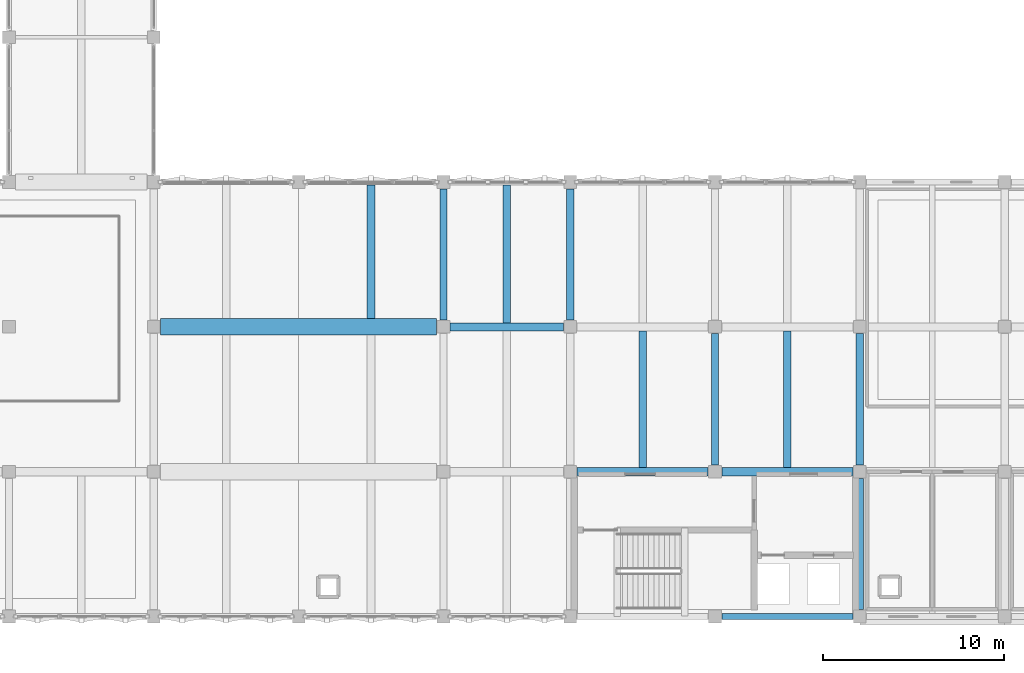
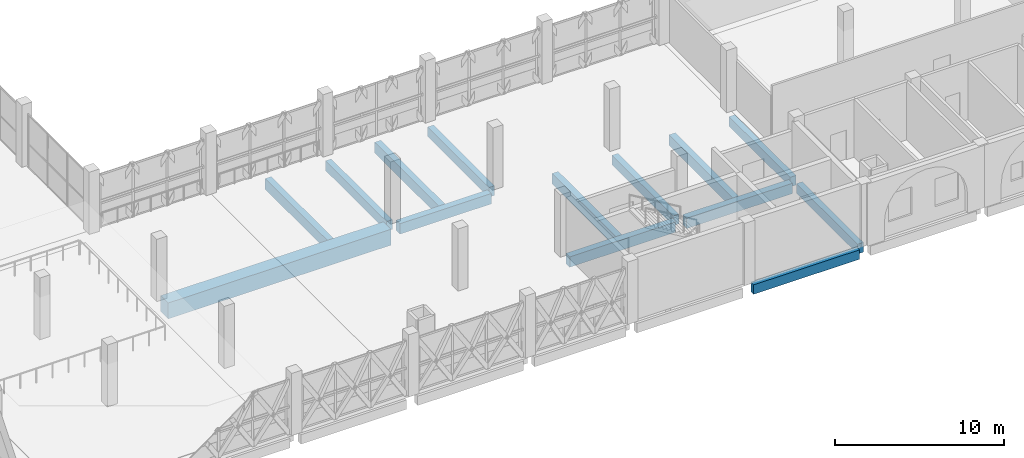
# One storey, part 14 of 45: 14 beams.
"""IFC4 building model written with IfcOpenShell, lengths in metres."""

from ifc_helpers import new_model, si_unit, direction, frame, origin, origin_2d, place, context, subcontext, project, spatial, rectangle, extrude, material, material_profile, profile_set, type_object, element, save


model = new_model("IFC4")

# Units and contexts
model_context = context("Model", 3, precision=1e-05, world=origin(), true_north=direction((0.0, 1.0)))
body_context = subcontext(model_context, "Body", "Model", "MODEL_VIEW")
ifc_project = project(units=[si_unit("LENGTHUNIT", "METRE"), si_unit("AREAUNIT", "SQUARE_METRE"), si_unit("VOLUMEUNIT", "CUBIC_METRE"), si_unit("PLANEANGLEUNIT", "RADIAN"), si_unit("MASSUNIT", "GRAM", prefix="KILO")], contexts=[model_context])

# Site, building, storey
site_placement = place(None, origin())
site = spatial("IfcSite", under=ifc_project, at=site_placement, CompositionType="ELEMENT")
building_placement = place(site_placement, origin())
building = spatial("IfcBuilding", under=site, at=building_placement, Name="Qorikala Patio Media Centre", CompositionType="ELEMENT")
storey_placement = place(building_placement, frame((0.0, 0.0, 9.89990234375)))
storey = spatial("IfcBuildingStorey", under=building, at=storey_placement, Name="L02", CompositionType="ELEMENT", Elevation=9.89990234375)

# Beams
ifc_material = material(Name="Concrete C35/45", Category="concrete")
ifc_material_profile_1 = material_profile(ifc_material, rectangle(XDim=0.39990234375, YDim=0.699951171875, at=origin_2d()), Name="RC 400x700")
ifc_profile_set_1 = profile_set([ifc_material_profile_1], Name="Concrete C35/45")
beam_type_1 = type_object("IfcBeamType", Name="BM-G400X700", PredefinedType="BEAM", material=ifc_profile_set_1)
for number, where, z_axis, x_axis, name in (
    (1, (75.0, 19.375, -0.64990234375), (0.0, 1.0, 0.0), (-1.0, 0.0, 0.0), "L02 Grid X=75 Beam 0973"),
    (2, (82.0, 19.375, -0.64990234375), (0.0, 1.0, 0.0), (-1.0, 0.0, 0.0), "L02 Grid X=82 Beam 0980"),
    (3, (90.0, 11.375, -0.64990234375), (0.0, 1.0, 0.0), (-1.0, 0.0, 0.0), "L02 Grid X=90 Beam 0981"),
    (4, (98.0, 3.375, -0.64990234375), (0.0, 1.0, 0.0), (-1.0, 0.0, 0.0), "L02 Grid X=98 Beam 0983"),
    (5, (98.0, 11.375, -0.64990234375), (0.0, 1.0, 0.0), (-1.0, 0.0, 0.0), "L02 Grid X=98 Beam 0984"),
):
    element("IfcBeam", number, at=place(storey_placement, frame(where, z_axis=z_axis, x_axis=x_axis)), inside=storey, type_object=beam_type_1, Name=name, PredefinedType="BEAM", context=body_context, shape_type="SweptSolid", body=[
        extrude(rectangle(XDim=0.39990234375, YDim=0.699951171875, at=origin_2d()), origin(), (0.0, 0.0, 1.0), 7.25),
    ])
ifc_material_profile_2 = material_profile(ifc_material, rectangle(XDim=0.449951171875, YDim=0.75, at=origin_2d()), Name="RC 450x750")
ifc_profile_set_2 = profile_set([ifc_material_profile_2], Name="Concrete C35/45")
beam_type_2 = type_object("IfcBeamType", Name="BM-G450X750", PredefinedType="BEAM", material=ifc_profile_set_2)
for number, where, z_axis, x_axis, name in (
    (6, (82.375, 11.0, -0.6748046875), (1.0, 0.0, 0.0), (0.0, 1.0, 0.0), "L02 Grid 11 Beam 0785"),
    (7, (90.375, 11.0, -0.6748046875), (1.0, 0.0, 0.0), (0.0, 1.0, 0.0), "L02 Grid 11 Beam 0786"),
):
    element("IfcBeam", number, at=place(storey_placement, frame(where, z_axis=z_axis, x_axis=x_axis)), inside=storey, type_object=beam_type_2, Name=name, PredefinedType="BEAM", context=body_context, shape_type="SweptSolid", body=[
        extrude(rectangle(XDim=0.449951171875, YDim=0.75, at=origin_2d()), origin(), (0.0, 0.0, 1.0), 7.25),
    ])
beam_1_placement = place(storey_placement, frame((75.375, 19.0, -0.6748046875), z_axis=(1.0, 0.0, 0.0), x_axis=(0.0, 1.0, 0.0)))
element("IfcBeam", 8, at=beam_1_placement, inside=storey, type_object=beam_type_2, Name="L02 Grid 19 Beam 0801", PredefinedType="BEAM", context=body_context, shape_type="SweptSolid", body=[
    extrude(rectangle(XDim=0.449951171875, YDim=0.75, at=origin_2d()), origin(), (0.0, 0.0, 1.0), 6.25),
])
ifc_material_profile_3 = material_profile(ifc_material, rectangle(XDim=0.89990234375, YDim=1.14990234375, at=origin_2d()), Name="RC 900x1150")
ifc_profile_set_3 = profile_set([ifc_material_profile_3], Name="Concrete C35/45")
beam_type_3 = type_object("IfcBeamType", Name="BM-TR900X1150", PredefinedType="BEAM", material=ifc_profile_set_3)
beam_2_placement = place(storey_placement, frame((59.375, 19.0, -0.875), z_axis=(1.0, 0.0, 0.0), x_axis=(0.0, 1.0, 0.0)))
element("IfcBeam", 9, at=beam_2_placement, inside=storey, type_object=beam_type_3, Name="L02 Grid 19 Beam 0800", PredefinedType="BEAM", context=body_context, shape_type="SweptSolid", body=[
    extrude(rectangle(XDim=0.89990234375, YDim=1.14990234375, at=origin_2d()), origin(), (0.0, 0.0, 1.0), 15.25),
])
ifc_material_profile_4 = material_profile(ifc_material, rectangle(XDim=0.35009765625, YDim=0.679931640625, at=origin_2d()), Name="RC 350x680")
ifc_profile_set_4 = profile_set([ifc_material_profile_4], Name="Concrete C35/45")
beam_type_4 = type_object("IfcBeamType", Name="SP-350X680", PredefinedType="SPANDREL", material=ifc_profile_set_4)
beam_3_placement = place(storey_placement, frame((90.375, 3.0, -0.639892578125), z_axis=(1.0, 0.0, 0.0), x_axis=(0.0, 1.0, 0.0)))
element("IfcBeam", 10, at=beam_3_placement, inside=storey, type_object=beam_type_4, Name="L02 Grid 3 Beam 0766", PredefinedType="SPANDREL", context=body_context, shape_type="SweptSolid", body=[
    extrude(rectangle(XDim=0.35009765625, YDim=0.679931640625, at=origin_2d()), origin(), (0.0, 0.0, 1.0), 7.25),
])
ifc_material_profile_5 = material_profile(ifc_material, rectangle(XDim=0.419921875, YDim=0.780029296875, at=origin_2d()), Name="RC 420x780")
ifc_profile_set_5 = profile_set([ifc_material_profile_5], Name="Concrete C35/45")
beam_type_5 = type_object("IfcBeamType", Name="TB-420X780", PredefinedType="T_BEAM", material=ifc_profile_set_5)
beam_4_placement = place(storey_placement, frame((71.0, 19.449951171875, -0.68994140625), z_axis=(0.0, 1.0, 0.0), x_axis=(-1.0, 0.0, 0.0)))
element("IfcBeam", 11, at=beam_4_placement, inside=storey, type_object=beam_type_5, Name="L02 Secondary Joist 1069", PredefinedType="T_BEAM", context=body_context, shape_type="SweptSolid", body=[
    extrude(rectangle(XDim=0.419921875, YDim=0.780029296875, at=origin_2d()), origin(), (0.0, 0.0, 1.0), 7.375),
])
beam_5_placement = place(storey_placement, frame((78.5, 19.22509765625, -0.68994140625), z_axis=(0.0, 1.0, 0.0), x_axis=(-1.0, 0.0, 0.0)))
element("IfcBeam", 12, at=beam_5_placement, inside=storey, type_object=beam_type_5, Name="L02 Secondary Joist 1076", PredefinedType="T_BEAM", context=body_context, shape_type="SweptSolid", body=[
    extrude(rectangle(XDim=0.419921875, YDim=0.780029296875, at=origin_2d()), origin(), (0.0, 0.0, 1.0), 7.599853515625),
])
for number, where, z_axis, x_axis, name in (
    (13, (86.0, 11.22509765625, -0.68994140625), (0.0, 1.0, 0.0), (-1.0, 0.0, 0.0), "L02 Secondary Joist 1077"),
    (14, (94.0, 11.22509765625, -0.68994140625), (0.0, 1.0, 0.0), (-1.0, 0.0, 0.0), "L02 Secondary Joist 1079"),
):
    element("IfcBeam", number, at=place(storey_placement, frame(where, z_axis=z_axis, x_axis=x_axis)), inside=storey, type_object=beam_type_5, Name=name, PredefinedType="T_BEAM", context=body_context, shape_type="SweptSolid", body=[
        extrude(rectangle(XDim=0.419921875, YDim=0.780029296875, at=origin_2d()), origin(), (0.0, 0.0, 1.0), 7.5498046875),
    ])

save(model, "model.ifc")
